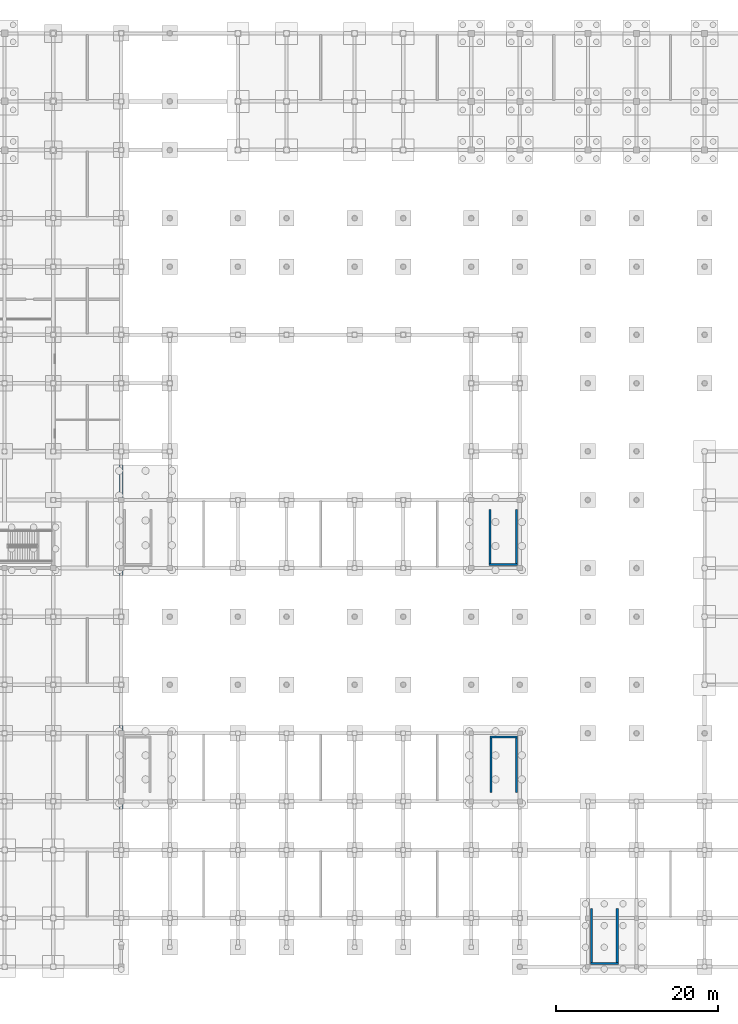
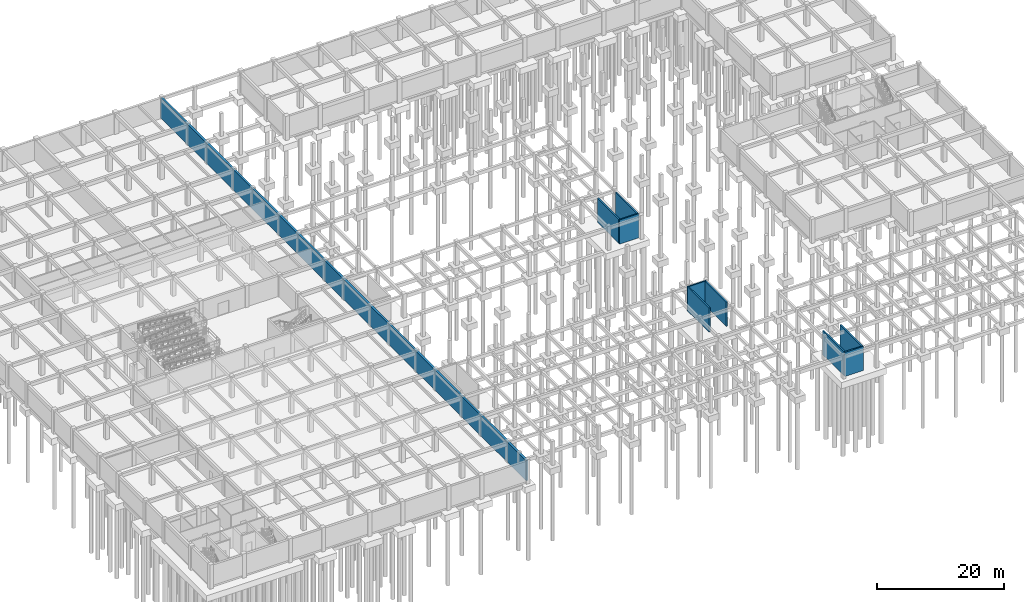
# One storey, part 27 of 40: 10 walls.
"""IFC4 building model written with IfcOpenShell, lengths in metres."""

from ifc_helpers import new_model, si_unit, direction, frame, frame_2d, origin, place, context, subcontext, project, spatial, rectangle, extrude, material, layer, layer_set, type_object, element, save


model = new_model("IFC4")

# Units and contexts
model_context = context("Model", 3, precision=1e-05, world=origin(), true_north=direction((0.0, 1.0)))
body_context = subcontext(model_context, "Body", "Model", "MODEL_VIEW")
ifc_project = project(units=[si_unit("LENGTHUNIT", "METRE"), si_unit("AREAUNIT", "SQUARE_METRE"), si_unit("VOLUMEUNIT", "CUBIC_METRE"), si_unit("PLANEANGLEUNIT", "RADIAN"), si_unit("MASSUNIT", "GRAM", prefix="KILO"), si_unit("THERMODYNAMICTEMPERATUREUNIT", "KELVIN")], contexts=[model_context])

# Site, building, storey
site_placement = place(None, origin())
site = spatial("IfcSite", under=ifc_project, at=site_placement, CompositionType="ELEMENT")
building_placement = place(site_placement, origin())
building = spatial("IfcBuilding", under=site, at=building_placement, Name="Thalorik Housing Commons", CompositionType="ELEMENT")
storey_placement = place(building_placement, frame((0.0, 0.0, -4.199951171875)))
storey = spatial("IfcBuildingStorey", under=building, at=storey_placement, Name="B1", CompositionType="ELEMENT", Elevation=-4.199951171875)

# Walls
ifc_material = material(Name="Concrete C40/50", Category="concrete")
ifc_layer_1 = layer(ifc_material, 0.25, Name="Concrete C40/50", Category="concrete")
ifc_layer_set_1 = layer_set([ifc_layer_1], Name="Concrete C40/50")
wall_type_1 = type_object("IfcWallType", Name="ARC-WAL-CORE-250", PredefinedType="SHEAR", material=ifc_layer_set_1)
for number, where, z_axis, x_axis, name in (
    (1, (111.52490234375, 64.85009765625, -0.449951171875), (0.0, 0.0, 1.0), (0.0, -1.0, 0.0), "B1 Stair ST-H2 Structural Support Wall L"),
    (2, (114.77490234375, 64.85009765625, -0.449951171875), (0.0, 0.0, 1.0), (0.0, -1.0, 0.0), "B1 Stair ST-H2 Structural Support Wall R"),
):
    element("IfcWall", number, at=place(storey_placement, frame(where, z_axis=z_axis, x_axis=x_axis)), inside=storey, type_object=wall_type_1, Name=name, PredefinedType="SHEAR", context=body_context, shape_type="SweptSolid", body=[
        extrude(rectangle(XDim=6.7001953125, YDim=0.25, at=frame_2d((3.35009765625, 0.0))), origin(), (0.0, 0.0, 1.0), 4.64990234375),
    ])
wall_1_placement = place(storey_placement, frame((111.39990234375, 58.02490234375, -0.449951171875), z_axis=(0.0, 0.0, 1.0), x_axis=(1.0, 0.0, 0.0)))
element("IfcWall", 3, at=wall_1_placement, inside=storey, type_object=wall_type_1, Name="B1 Stair ST-H2 Structural Support Wall F", PredefinedType="SHEAR", context=body_context, shape_type="SweptSolid", body=[
    extrude(rectangle(XDim=3.5, YDim=0.25, at=frame_2d((1.75, 0.0))), origin(), (0.0, 0.0, 1.0), 4.64990234375),
])
for number, where, z_axis, x_axis, name in (
    (4, (124.074951171875, 15.60009765625, -0.449951171875), (0.0, 0.0, 1.0), (0.0, -1.0, 0.0), "B1 Stair ST-N1 Structural Support Wall L"),
    (5, (127.22509765625, 15.60009765625, -0.449951171875), (0.0, 0.0, 1.0), (0.0, -1.0, 0.0), "B1 Stair ST-N1 Structural Support Wall R"),
):
    element("IfcWall", number, at=place(storey_placement, frame(where, z_axis=z_axis, x_axis=x_axis)), inside=storey, type_object=wall_type_1, Name=name, PredefinedType="SHEAR", context=body_context, shape_type="SweptSolid", body=[
        extrude(rectangle(XDim=6.7001953125, YDim=0.25, at=frame_2d((3.35009765625, 0.0))), origin(), (0.0, 0.0, 1.0), 4.64990234375),
    ])
wall_2_placement = place(storey_placement, frame((123.949951171875, 8.77490234375, -0.449951171875), z_axis=(0.0, 0.0, 1.0), x_axis=(1.0, 0.0, 0.0)))
element("IfcWall", 6, at=wall_2_placement, inside=storey, type_object=wall_type_1, Name="B1 Stair ST-N1 Structural Support Wall F", PredefinedType="SHEAR", context=body_context, shape_type="SweptSolid", body=[
    extrude(rectangle(XDim=3.400146484375, YDim=0.25, at=frame_2d((1.7001953125, 0.0))), origin(), (0.0, 0.0, 1.0), 4.64990234375),
])
for number, where, z_axis, x_axis, name in (
    (7, (114.77490234375, 29.89990234375, -0.449951171875), (0.0, 0.0, 1.0), (0.0, 1.0, 0.0), "B1 Stair ST-S2 Structural Support Wall L"),
    (8, (111.625, 29.89990234375, -0.449951171875), (0.0, 0.0, 1.0), (0.0, 1.0, 0.0), "B1 Stair ST-S2 Structural Support Wall R"),
):
    element("IfcWall", number, at=place(storey_placement, frame(where, z_axis=z_axis, x_axis=x_axis)), inside=storey, type_object=wall_type_1, Name=name, PredefinedType="SHEAR", context=body_context, shape_type="SweptSolid", body=[
        extrude(rectangle(XDim=6.7001953125, YDim=0.25, at=frame_2d((3.35009765625, 0.0))), origin(), (0.0, 0.0, 1.0), 4.64990234375),
    ])
wall_3_placement = place(storey_placement, frame((114.89990234375, 36.72509765625, -0.449951171875), z_axis=(0.0, 0.0, 1.0), x_axis=(-1.0, 0.0, 0.0)))
element("IfcWall", 9, at=wall_3_placement, inside=storey, type_object=wall_type_1, Name="B1 Stair ST-S2 Structural Support Wall F", PredefinedType="SHEAR", context=body_context, shape_type="SweptSolid", body=[
    extrude(rectangle(XDim=3.39990234375, YDim=0.25, at=frame_2d((1.699951171875, 0.0))), origin(), (0.0, 0.0, 1.0), 4.64990234375),
])
ifc_layer_2 = layer(ifc_material, 0.3798828125, Name="Concrete C40/50", Category="concrete")
ifc_layer_set_2 = layer_set([ifc_layer_2], Name="Concrete C40/50")
wall_type_2 = type_object("IfcWallType", Name="ARC-WAL-RET-380", PredefinedType="SHEAR", material=ifc_layer_set_2)
wall_4_placement = place(storey_placement, frame((66.0, 8.39990234375, 0.0), z_axis=(0.0, 0.0, 1.0), x_axis=(0.0, 1.0, 0.0)))
element("IfcWall", 10, at=wall_4_placement, inside=storey, type_object=wall_type_2, Name="B1 Exterior Wall WAL-B1-RET-01", PredefinedType="SHEAR", context=body_context, shape_type="SweptSolid", body=[
    extrude(rectangle(XDim=115.2001953125, YDim=0.3798828125, at=frame_2d((57.60009765625, 0.0))), origin(), (0.0, 0.0, 1.0), 3.89990234375),
])

save(model, "model.ifc")
